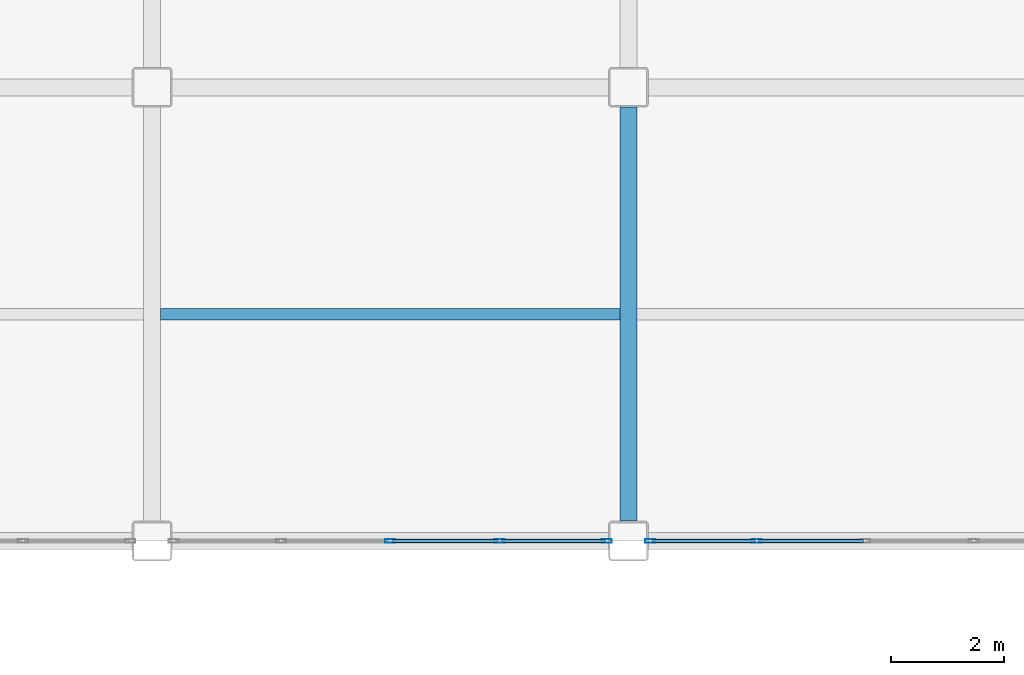
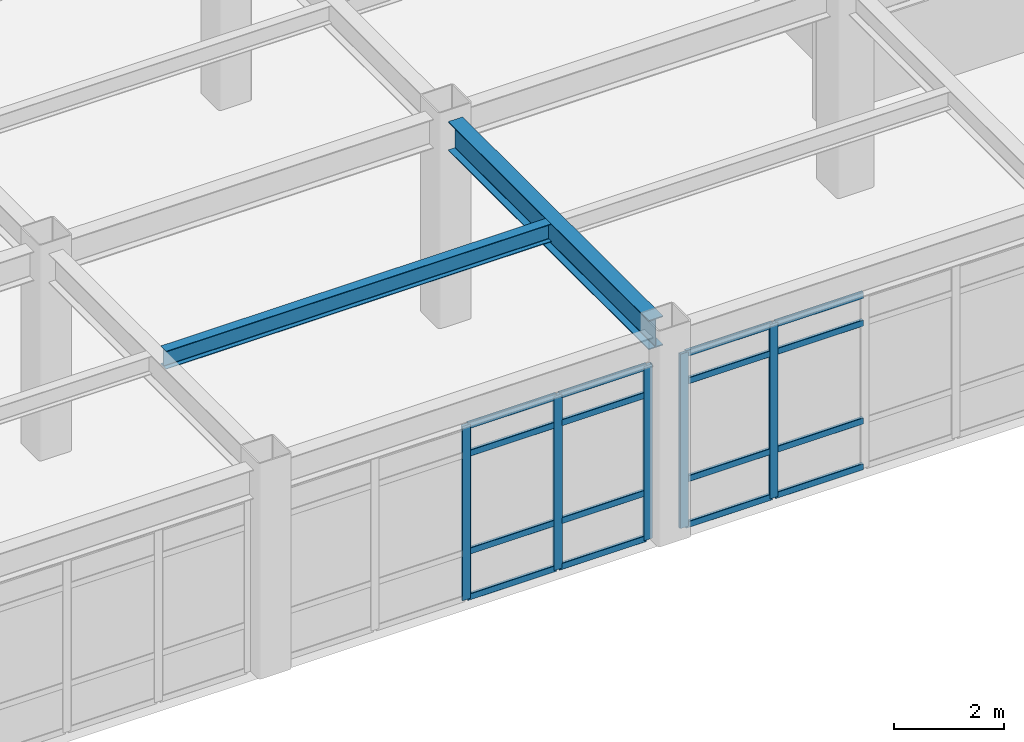
# One storey, part 95 of 172: 21 members, 2 beams, 2 elements without a shape of their own.
"""IFC4 building model written with IfcOpenShell, lengths in metres."""

from ifc_helpers import new_model, si_unit, direction, frame, origin, origin_2d, place, context, subcontext, project, spatial, hollow_rectangle, i_section, extrude, material, layer, layer_set, material_profile, profile_set, type_object, element, aggregate, save


model = new_model("IFC4")

# Units and contexts
model_context = context("Model", 3, precision=1e-05, world=origin(), true_north=direction((0.0, 1.0)))
body_context = subcontext(model_context, "Body", "Model", "MODEL_VIEW")
ifc_project = project(units=[si_unit("LENGTHUNIT", "METRE"), si_unit("AREAUNIT", "SQUARE_METRE"), si_unit("VOLUMEUNIT", "CUBIC_METRE"), si_unit("PLANEANGLEUNIT", "RADIAN"), si_unit("MASSUNIT", "GRAM", prefix="KILO")], contexts=[model_context])

# Site, building, storey
site_placement = place(None, origin())
site = spatial("IfcSite", under=ifc_project, at=site_placement, CompositionType="ELEMENT")
building_placement = place(site_placement, origin())
building = spatial("IfcBuilding", under=site, at=building_placement, Name="Kazehara Bluff Congress Hotel", CompositionType="ELEMENT")
storey_placement = place(building_placement, frame((0.0, 0.0, 5.39990234375)))
storey = spatial("IfcBuildingStorey", under=building, at=storey_placement, Name="L01", CompositionType="ELEMENT", Elevation=5.39990234375)

# Curtain wall, members
ifc_material_1 = material(Name="Anodised aluminium", Category="aluminium")
ifc_layer_1 = layer(ifc_material_1, 0.159912109375)
ifc_layer_set_1 = layer_set([ifc_layer_1], Name="Anodised aluminium")
curtain_wall_type_1 = type_object("IfcCurtainWallType", Name="TP-CW-79", PredefinedType="NOTDEFINED", material=ifc_layer_set_1)
curtain_wall_1_placement = place(storey_placement, origin())
curtain_wall_1 = element("IfcCurtainWall", 1, at=curtain_wall_1_placement, inside=storey, type_object=curtain_wall_type_1, Name="L01 curtain wall CW-79 CW-V5-L01-Y1600-12725", PredefinedType="NOTDEFINED")
ifc_material_2 = material(Name="Anodised aluminium", Category="aluminium")
ifc_material_profile_1 = material_profile(ifc_material_2, hollow_rectangle(XDim=0.06494140625, YDim=0.179931640625, WallThickness=0.00390625, InnerFilletRadius=0.00390625, OuterFilletRadius=0.008056640625, at=origin_2d()))
ifc_profile_set_1 = profile_set([ifc_material_profile_1], Name="Anodised aluminium")
member_type_1 = type_object("IfcMemberType", Name="TP-CWM-02", PredefinedType="MULLION", material=ifc_profile_set_1)
member_1_placement = place(storey_placement, frame((131.10009765625, 16.0, 0.0), z_axis=(0.0, 0.0, 1.0), x_axis=(0.0, 1.0, 0.0)))
member_1 = element("IfcMember", 2, at=member_1_placement, type_object=member_type_1, Name="CW-79 mullion 3", PredefinedType="MULLION", context=body_context, shape_type="SweptSolid", body=[
    extrude(hollow_rectangle(XDim=0.06494140625, YDim=0.179931640625, WallThickness=0.00390625, InnerFilletRadius=0.00390625, OuterFilletRadius=0.008056640625, at=origin_2d()), origin(), (0.0, 0.0, 1.0), 3.875),
])
member_2_placement = place(storey_placement, frame((133.02490234375, 16.0, 0.0), z_axis=(0.0, 0.0, 1.0), x_axis=(0.0, 1.0, 0.0)))
member_2 = element("IfcMember", 3, at=member_2_placement, type_object=member_type_1, Name="CW-79 mullion 4", PredefinedType="MULLION", context=body_context, shape_type="SweptSolid", body=[
    extrude(hollow_rectangle(XDim=0.06494140625, YDim=0.179931640625, WallThickness=0.00390625, InnerFilletRadius=0.00390625, OuterFilletRadius=0.008056640625, at=origin_2d()), origin(), (0.0, 0.0, 1.0), 3.875),
])
member_3_placement = place(storey_placement, frame((134.91748046875, 16.0, 0.0), z_axis=(0.0, 0.0, 1.0), x_axis=(0.0, 1.0, 0.0)))
member_3 = element("IfcMember", 4, at=member_3_placement, type_object=member_type_1, Name="CW-79 mullion 5", PredefinedType="MULLION", context=body_context, shape_type="SweptSolid", body=[
    extrude(hollow_rectangle(XDim=0.06494140625, YDim=0.179931640625, WallThickness=0.00390625, InnerFilletRadius=0.00390625, OuterFilletRadius=0.008056640625, at=origin_2d()), origin(), (0.0, 0.0, 1.0), 3.875),
])

ifc_material_3 = material(Name="Anodised aluminium", Category="aluminium")
ifc_layer_2 = layer(ifc_material_3, 0.159912109375)
ifc_layer_set_2 = layer_set([ifc_layer_2], Name="Anodised aluminium")
curtain_wall_type_2 = type_object("IfcCurtainWallType", Name="TP-CW-22", PredefinedType="NOTDEFINED", material=ifc_layer_set_2)
curtain_wall_2_placement = place(storey_placement, origin())
curtain_wall_2 = element("IfcCurtainWall", 5, at=curtain_wall_2_placement, inside=storey, type_object=curtain_wall_type_2, Name="L01 curtain wall CW-22 CW-V5-L01-Y1600-13565", PredefinedType="NOTDEFINED")
member_4_placement = place(storey_placement, frame((135.6826171875, 16.0, 0.0), z_axis=(0.0, 0.0, 1.0), x_axis=(0.0, 1.0, 0.0)))
member_4 = element("IfcMember", 6, at=member_4_placement, type_object=member_type_1, Name="CW-22 mullion 1", PredefinedType="MULLION", context=body_context, shape_type="SweptSolid", body=[
    extrude(hollow_rectangle(XDim=0.06494140625, YDim=0.179931640625, WallThickness=0.00390625, InnerFilletRadius=0.00390625, OuterFilletRadius=0.008056640625, at=origin_2d()), origin(), (0.0, 0.0, 1.0), 3.875),
])
member_5_placement = place(storey_placement, frame((137.5625, 16.0, 0.0), z_axis=(0.0, 0.0, 1.0), x_axis=(0.0, 1.0, 0.0)))
member_5 = element("IfcMember", 7, at=member_5_placement, type_object=member_type_1, Name="CW-22 mullion 2", PredefinedType="MULLION", context=body_context, shape_type="SweptSolid", body=[
    extrude(hollow_rectangle(XDim=0.06494140625, YDim=0.179931640625, WallThickness=0.00390625, InnerFilletRadius=0.00390625, OuterFilletRadius=0.008056640625, at=origin_2d()), origin(), (0.0, 0.0, 1.0), 3.875),
])

# Member
ifc_material_4 = material(Name="Anodised aluminium", Category="aluminium")
ifc_material_profile_2 = material_profile(ifc_material_4, hollow_rectangle(XDim=0.06494140625, YDim=0.139892578125, WallThickness=0.00390625, InnerFilletRadius=0.00390625, OuterFilletRadius=0.008056640625, at=origin_2d()))
ifc_profile_set_2 = profile_set([ifc_material_profile_2], Name="Anodised aluminium")
member_type_2 = type_object("IfcMemberType", Name="TP-CWT-02", PredefinedType="USERDEFINED", material=ifc_profile_set_2)
member_6_placement = place(storey_placement, frame((131.132568359375, 16.0, 0.03271484375), z_axis=(1.0, 0.0, 0.0), x_axis=(0.0, 1.0, 0.0)))
member_6 = element("IfcMember", 8, at=member_6_placement, type_object=member_type_2, Name="CW-79 transom 3.1", ObjectType="TRANSOM", PredefinedType="USERDEFINED", context=body_context, shape_type="SweptSolid", body=[
    extrude(hollow_rectangle(XDim=0.06494140625, YDim=0.139892578125, WallThickness=0.00390625, InnerFilletRadius=0.00390625, OuterFilletRadius=0.008056640625, at=origin_2d()), origin(), (0.0, 0.0, 1.0), 1.85986328125),
])

member_7_placement = place(storey_placement, frame((131.132568359375, 16.0, 1.050048828125), z_axis=(1.0, 0.0, 0.0), x_axis=(0.0, 1.0, 0.0)))
member_7 = element("IfcMember", 9, at=member_7_placement, type_object=member_type_2, Name="CW-79 transom 3.2", ObjectType="TRANSOM", PredefinedType="USERDEFINED", context=body_context, shape_type="SweptSolid", body=[
    extrude(hollow_rectangle(XDim=0.06494140625, YDim=0.139892578125, WallThickness=0.00390625, InnerFilletRadius=0.00390625, OuterFilletRadius=0.008056640625, at=origin_2d()), origin(), (0.0, 0.0, 1.0), 1.85986328125),
])

member_8_placement = place(storey_placement, frame((131.132568359375, 16.0, 3.22509765625), z_axis=(1.0, 0.0, 0.0), x_axis=(0.0, 1.0, 0.0)))
member_8 = element("IfcMember", 10, at=member_8_placement, type_object=member_type_2, Name="CW-79 transom 3.3", ObjectType="TRANSOM", PredefinedType="USERDEFINED", context=body_context, shape_type="SweptSolid", body=[
    extrude(hollow_rectangle(XDim=0.06494140625, YDim=0.139892578125, WallThickness=0.00390625, InnerFilletRadius=0.00390625, OuterFilletRadius=0.008056640625, at=origin_2d()), origin(), (0.0, 0.0, 1.0), 1.85986328125),
])

member_9_placement = place(storey_placement, frame((131.132568359375, 16.0, 3.842529296875), z_axis=(1.0, 0.0, 0.0), x_axis=(0.0, 1.0, 0.0)))
member_9 = element("IfcMember", 11, at=member_9_placement, type_object=member_type_2, Name="CW-79 transom 3.4", ObjectType="TRANSOM", PredefinedType="USERDEFINED", context=body_context, shape_type="SweptSolid", body=[
    extrude(hollow_rectangle(XDim=0.06494140625, YDim=0.139892578125, WallThickness=0.00390625, InnerFilletRadius=0.00390625, OuterFilletRadius=0.008056640625, at=origin_2d()), origin(), (0.0, 0.0, 1.0), 1.85986328125),
])

member_10_placement = place(storey_placement, frame((133.0576171875, 16.0, 0.03271484375), z_axis=(1.0, 0.0, 0.0), x_axis=(0.0, 1.0, 0.0)))
member_10 = element("IfcMember", 12, at=member_10_placement, type_object=member_type_2, Name="CW-79 transom 4.1", ObjectType="TRANSOM", PredefinedType="USERDEFINED", context=body_context, shape_type="SweptSolid", body=[
    extrude(hollow_rectangle(XDim=0.06494140625, YDim=0.139892578125, WallThickness=0.00390625, InnerFilletRadius=0.00390625, OuterFilletRadius=0.008056640625, at=origin_2d()), origin(), (0.0, 0.0, 1.0), 1.827392578125),
])

member_11_placement = place(storey_placement, frame((133.0576171875, 16.0, 1.050048828125), z_axis=(1.0, 0.0, 0.0), x_axis=(0.0, 1.0, 0.0)))
member_11 = element("IfcMember", 13, at=member_11_placement, type_object=member_type_2, Name="CW-79 transom 4.2", ObjectType="TRANSOM", PredefinedType="USERDEFINED", context=body_context, shape_type="SweptSolid", body=[
    extrude(hollow_rectangle(XDim=0.06494140625, YDim=0.139892578125, WallThickness=0.00390625, InnerFilletRadius=0.00390625, OuterFilletRadius=0.008056640625, at=origin_2d()), origin(), (0.0, 0.0, 1.0), 1.827392578125),
])

member_12_placement = place(storey_placement, frame((133.0576171875, 16.0, 3.22509765625), z_axis=(1.0, 0.0, 0.0), x_axis=(0.0, 1.0, 0.0)))
member_12 = element("IfcMember", 14, at=member_12_placement, type_object=member_type_2, Name="CW-79 transom 4.3", ObjectType="TRANSOM", PredefinedType="USERDEFINED", context=body_context, shape_type="SweptSolid", body=[
    extrude(hollow_rectangle(XDim=0.06494140625, YDim=0.139892578125, WallThickness=0.00390625, InnerFilletRadius=0.00390625, OuterFilletRadius=0.008056640625, at=origin_2d()), origin(), (0.0, 0.0, 1.0), 1.827392578125),
])

member_13_placement = place(storey_placement, frame((133.0576171875, 16.0, 3.842529296875), z_axis=(1.0, 0.0, 0.0), x_axis=(0.0, 1.0, 0.0)))
member_13 = element("IfcMember", 15, at=member_13_placement, type_object=member_type_2, Name="CW-79 transom 4.4", ObjectType="TRANSOM", PredefinedType="USERDEFINED", context=body_context, shape_type="SweptSolid", body=[
    extrude(hollow_rectangle(XDim=0.06494140625, YDim=0.139892578125, WallThickness=0.00390625, InnerFilletRadius=0.00390625, OuterFilletRadius=0.008056640625, at=origin_2d()), origin(), (0.0, 0.0, 1.0), 1.827392578125),
])

aggregate(curtain_wall_1, [member_1, member_2, member_3, member_6, member_7, member_8, member_9, member_10, member_11, member_12, member_13])

member_14_placement = place(storey_placement, frame((135.715087890625, 16.0, 0.03271484375), z_axis=(1.0, 0.0, 0.0), x_axis=(0.0, 1.0, 0.0)))
member_14 = element("IfcMember", 16, at=member_14_placement, type_object=member_type_2, Name="CW-22 transom 1.1", ObjectType="TRANSOM", PredefinedType="USERDEFINED", context=body_context, shape_type="SweptSolid", body=[
    extrude(hollow_rectangle(XDim=0.06494140625, YDim=0.139892578125, WallThickness=0.00390625, InnerFilletRadius=0.00390625, OuterFilletRadius=0.008056640625, at=origin_2d()), origin(), (0.0, 0.0, 1.0), 1.81494140625),
])

member_15_placement = place(storey_placement, frame((135.715087890625, 16.0, 1.050048828125), z_axis=(1.0, 0.0, 0.0), x_axis=(0.0, 1.0, 0.0)))
member_15 = element("IfcMember", 17, at=member_15_placement, type_object=member_type_2, Name="CW-22 transom 1.2", ObjectType="TRANSOM", PredefinedType="USERDEFINED", context=body_context, shape_type="SweptSolid", body=[
    extrude(hollow_rectangle(XDim=0.06494140625, YDim=0.139892578125, WallThickness=0.00390625, InnerFilletRadius=0.00390625, OuterFilletRadius=0.008056640625, at=origin_2d()), origin(), (0.0, 0.0, 1.0), 1.81494140625),
])

member_16_placement = place(storey_placement, frame((135.715087890625, 16.0, 3.22509765625), z_axis=(1.0, 0.0, 0.0), x_axis=(0.0, 1.0, 0.0)))
member_16 = element("IfcMember", 18, at=member_16_placement, type_object=member_type_2, Name="CW-22 transom 1.3", ObjectType="TRANSOM", PredefinedType="USERDEFINED", context=body_context, shape_type="SweptSolid", body=[
    extrude(hollow_rectangle(XDim=0.06494140625, YDim=0.139892578125, WallThickness=0.00390625, InnerFilletRadius=0.00390625, OuterFilletRadius=0.008056640625, at=origin_2d()), origin(), (0.0, 0.0, 1.0), 1.81494140625),
])

member_17_placement = place(storey_placement, frame((135.715087890625, 16.0, 3.842529296875), z_axis=(1.0, 0.0, 0.0), x_axis=(0.0, 1.0, 0.0)))
member_17 = element("IfcMember", 19, at=member_17_placement, type_object=member_type_2, Name="CW-22 transom 1.4", ObjectType="TRANSOM", PredefinedType="USERDEFINED", context=body_context, shape_type="SweptSolid", body=[
    extrude(hollow_rectangle(XDim=0.06494140625, YDim=0.139892578125, WallThickness=0.00390625, InnerFilletRadius=0.00390625, OuterFilletRadius=0.008056640625, at=origin_2d()), origin(), (0.0, 0.0, 1.0), 1.81494140625),
])

member_18_placement = place(storey_placement, frame((137.594970703125, 16.0, 0.03271484375), z_axis=(1.0, 0.0, 0.0), x_axis=(0.0, 1.0, 0.0)))
member_18 = element("IfcMember", 20, at=member_18_placement, type_object=member_type_2, Name="CW-22 transom 2.1", ObjectType="TRANSOM", PredefinedType="USERDEFINED", context=body_context, shape_type="SweptSolid", body=[
    extrude(hollow_rectangle(XDim=0.06494140625, YDim=0.139892578125, WallThickness=0.00390625, InnerFilletRadius=0.00390625, OuterFilletRadius=0.008056640625, at=origin_2d()), origin(), (0.0, 0.0, 1.0), 1.847412109375),
])

member_19_placement = place(storey_placement, frame((137.594970703125, 16.0, 1.050048828125), z_axis=(1.0, 0.0, 0.0), x_axis=(0.0, 1.0, 0.0)))
member_19 = element("IfcMember", 21, at=member_19_placement, type_object=member_type_2, Name="CW-22 transom 2.2", ObjectType="TRANSOM", PredefinedType="USERDEFINED", context=body_context, shape_type="SweptSolid", body=[
    extrude(hollow_rectangle(XDim=0.06494140625, YDim=0.139892578125, WallThickness=0.00390625, InnerFilletRadius=0.00390625, OuterFilletRadius=0.008056640625, at=origin_2d()), origin(), (0.0, 0.0, 1.0), 1.847412109375),
])

member_20_placement = place(storey_placement, frame((137.594970703125, 16.0, 3.22509765625), z_axis=(1.0, 0.0, 0.0), x_axis=(0.0, 1.0, 0.0)))
member_20 = element("IfcMember", 22, at=member_20_placement, type_object=member_type_2, Name="CW-22 transom 2.3", ObjectType="TRANSOM", PredefinedType="USERDEFINED", context=body_context, shape_type="SweptSolid", body=[
    extrude(hollow_rectangle(XDim=0.06494140625, YDim=0.139892578125, WallThickness=0.00390625, InnerFilletRadius=0.00390625, OuterFilletRadius=0.008056640625, at=origin_2d()), origin(), (0.0, 0.0, 1.0), 1.847412109375),
])

member_21_placement = place(storey_placement, frame((137.594970703125, 16.0, 3.842529296875), z_axis=(1.0, 0.0, 0.0), x_axis=(0.0, 1.0, 0.0)))
member_21 = element("IfcMember", 23, at=member_21_placement, type_object=member_type_2, Name="CW-22 transom 2.4", ObjectType="TRANSOM", PredefinedType="USERDEFINED", context=body_context, shape_type="SweptSolid", body=[
    extrude(hollow_rectangle(XDim=0.06494140625, YDim=0.139892578125, WallThickness=0.00390625, InnerFilletRadius=0.00390625, OuterFilletRadius=0.008056640625, at=origin_2d()), origin(), (0.0, 0.0, 1.0), 1.847412109375),
])

aggregate(curtain_wall_2, [member_4, member_5, member_14, member_15, member_16, member_17, member_18, member_19, member_20, member_21])

# Beams
ifc_material_5 = material(Name="Steel SN490B", Category="steel")
ifc_material_profile_3 = material_profile(ifc_material_5, i_section(OverallWidth=0.300048828125, OverallDepth=0.64990234375, WebThickness=0.011962890625, FlangeThickness=0.02001953125, FilletRadius=0.012939453125, at=origin_2d()))
ifc_profile_set_3 = profile_set([ifc_material_profile_3], Name="Steel SN490B")
beam_type_1 = type_object("IfcBeamType", Name="TP-G-03", PredefinedType="BEAM", material=ifc_profile_set_3)
beam_1_placement = place(storey_placement, frame((135.300048828125, 16.35009765625, 4.22509765625), z_axis=(0.0, 1.0, 0.0), x_axis=(-1.0, 0.0, 0.0)))
element("IfcBeam", 24, at=beam_1_placement, inside=storey, type_object=beam_type_1, Name="L01 girder G-03 227", PredefinedType="BEAM", context=body_context, shape_type="SweptSolid", body=[
    extrude(i_section(OverallWidth=0.300048828125, OverallDepth=0.64990234375, WebThickness=0.011962890625, FlangeThickness=0.02001953125, FilletRadius=0.012939453125, at=origin_2d()), origin(), (0.0, 0.0, 1.0), 7.2998046875),
])
ifc_material_6 = material(Name="Steel SN400B", Category="steel")
ifc_material_profile_4 = material_profile(ifc_material_6, i_section(OverallWidth=0.199951171875, OverallDepth=0.39990234375, WebThickness=0.008056640625, FlangeThickness=0.012939453125, FilletRadius=0.012939453125, at=origin_2d()))
ifc_profile_set_4 = profile_set([ifc_material_profile_4], Name="Steel SN400B")
beam_type_2 = type_object("IfcBeamType", Name="TP-J-03", PredefinedType="JOIST", material=ifc_profile_set_4)
beam_2_placement = place(storey_placement, frame((127.050048828125, 20.0, 4.35009765625), z_axis=(1.0, 0.0, 0.0), x_axis=(0.0, 1.0, 0.0)))
element("IfcBeam", 25, at=beam_2_placement, inside=storey, type_object=beam_type_2, Name="L01 secondary joist J-03 59", PredefinedType="JOIST", context=body_context, shape_type="SweptSolid", body=[
    extrude(i_section(OverallWidth=0.199951171875, OverallDepth=0.39990234375, WebThickness=0.008056640625, FlangeThickness=0.012939453125, FilletRadius=0.012939453125, at=origin_2d()), origin(), (0.0, 0.0, 1.0), 8.099853515625),
])

save(model, "model.ifc")
